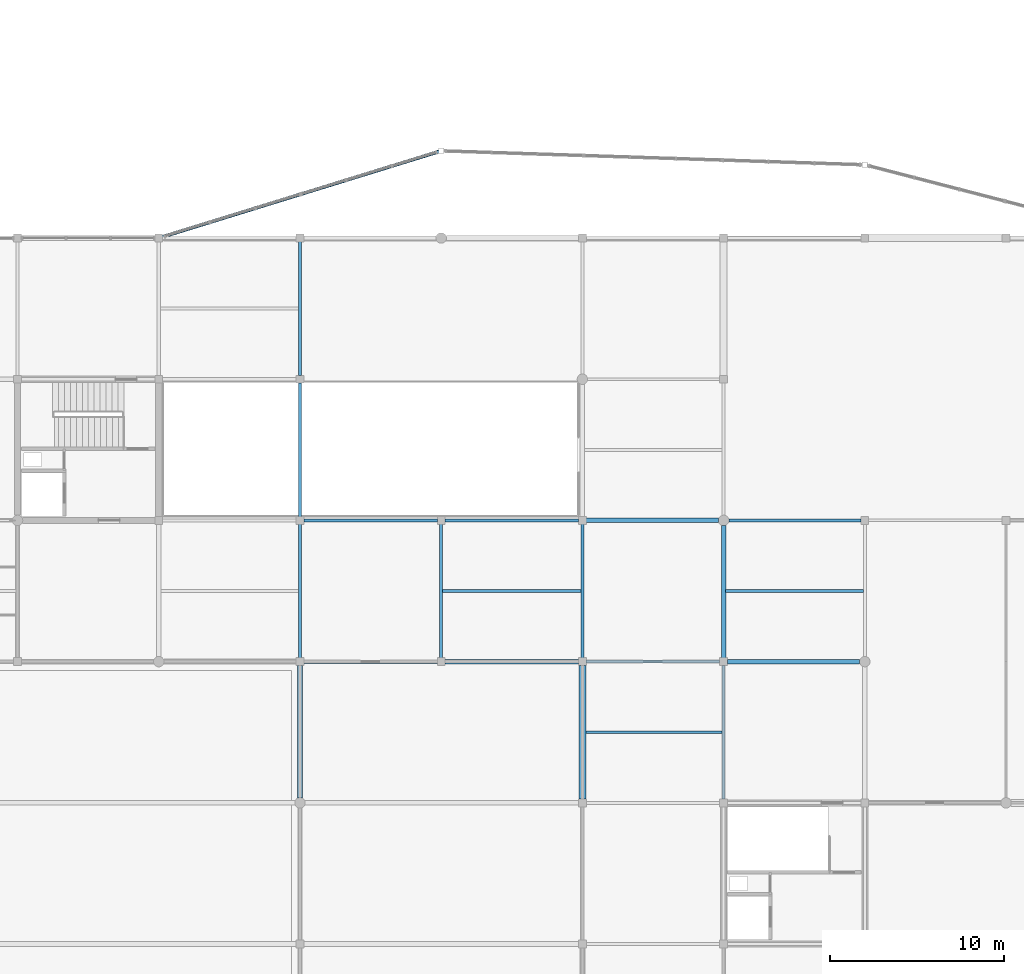
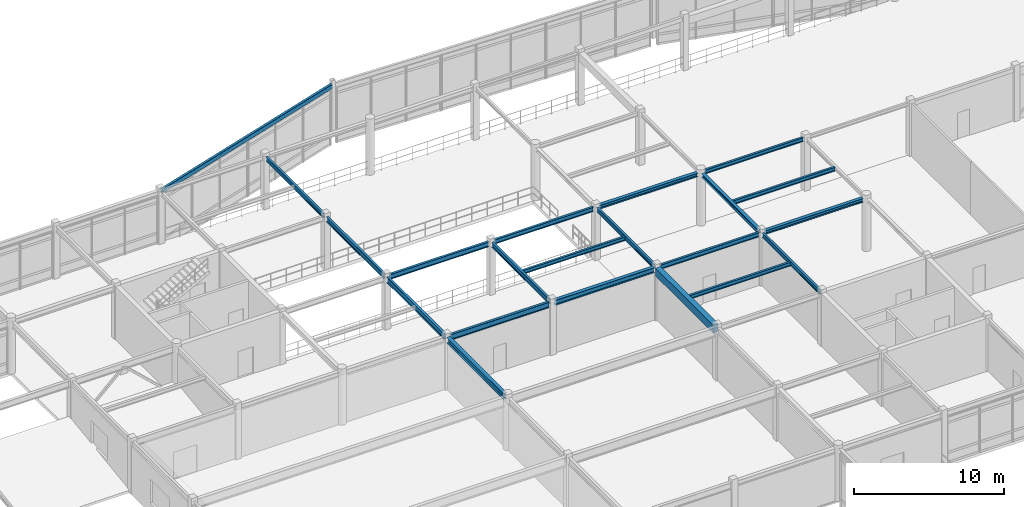
# One storey, part 23 of 93: 21 beams.
"""IFC4 building model written with IfcOpenShell, lengths in metres."""

from ifc_helpers import new_model, si_unit, direction, frame, origin, origin_2d, place, context, subcontext, project, spatial, rectangle, hollow_rectangle, i_section, extrude, material, material_profile, profile_set, type_object, element, save


model = new_model("IFC4")

# Units and contexts
model_context = context("Model", 3, precision=1e-05, world=origin(), true_north=direction((0.0, 1.0)))
body_context = subcontext(model_context, "Body", "Model", "MODEL_VIEW")
ifc_project = project(units=[si_unit("LENGTHUNIT", "METRE"), si_unit("AREAUNIT", "SQUARE_METRE"), si_unit("VOLUMEUNIT", "CUBIC_METRE"), si_unit("PLANEANGLEUNIT", "RADIAN"), si_unit("MASSUNIT", "GRAM", prefix="KILO")], contexts=[model_context])

# Site, building, storey
site_placement = place(None, origin())
site = spatial("IfcSite", under=ifc_project, at=site_placement, CompositionType="ELEMENT")
building_placement = place(site_placement, origin())
building = spatial("IfcBuilding", under=site, at=building_placement, Name="Vaudrelin Polytechnic", CompositionType="ELEMENT")
storey_placement = place(building_placement, frame((0.0, 0.0, 5.10009765625)))
storey = spatial("IfcBuildingStorey", under=building, at=storey_placement, Name="L01", CompositionType="ELEMENT", Elevation=5.10009765625)

# Beams
ifc_material_1 = material(Name="Steel CSA G40.21 350W", Category="steel")
ifc_material_profile_1 = material_profile(ifc_material_1, i_section(OverallWidth=0.178955078125, OverallDepth=0.409912109375, WebThickness=0.0087890625, FlangeThickness=0.014404296875, FilletRadius=0.01611328125, at=origin_2d()), Name="W410x67")
ifc_profile_set_1 = profile_set([ifc_material_profile_1], Name="Steel CSA G40.21 350W")
beam_type_1 = type_object("IfcBeamType", Name="BM-BM-W410", PredefinedType="BEAM", material=ifc_profile_set_1)
for number, where, z_axis, x_axis, name in (
    (1, (64.800048828125, 32.610107421875, 4.10498046875), (0.0, 1.0, 0.0), (-1.0, 0.0, 0.0), "L01 Y-beam 9-5"),
    (2, (72.89990234375, 24.510009765625, 4.10498046875), (0.0, 1.0, 0.0), (-1.0, 0.0, 0.0), "L01 Y-beam 10-4"),
):
    element("IfcBeam", number, at=place(storey_placement, frame(where, z_axis=z_axis, x_axis=x_axis)), inside=storey, type_object=beam_type_1, Name=name, PredefinedType="BEAM", context=body_context, shape_type="SweptSolid", body=[
        extrude(i_section(OverallWidth=0.178955078125, OverallDepth=0.409912109375, WebThickness=0.0087890625, FlangeThickness=0.014404296875, FilletRadius=0.01611328125, at=origin_2d()), origin(), (0.0, 0.0, 1.0), 7.679931640625),
    ])
beam_1_placement = place(storey_placement, frame((65.02099609375, 32.39990234375, 4.10498046875), z_axis=(1.0, 0.0, 0.0), x_axis=(0.0, 1.0, 0.0)))
element("IfcBeam", 3, at=beam_1_placement, inside=storey, type_object=beam_type_1, Name="L01 X-beam 9-5", PredefinedType="BEAM", context=body_context, shape_type="SweptSolid", body=[
    extrude(i_section(OverallWidth=0.178955078125, OverallDepth=0.409912109375, WebThickness=0.0087890625, FlangeThickness=0.014404296875, FilletRadius=0.01611328125, at=origin_2d()), origin(), (0.0, 0.0, 1.0), 7.657958984375),
])
ifc_material_2 = material(Name="Steel CSA G40.21 350WT", Category="steel")
ifc_material_profile_2 = material_profile(ifc_material_2, i_section(OverallWidth=0.260009765625, OverallDepth=0.4150390625, WebThickness=0.010009765625, FlangeThickness=0.016845703125, FilletRadius=0.01611328125, at=origin_2d()), Name="W410x100")
ifc_profile_set_2 = profile_set([ifc_material_profile_2], Name="Steel CSA G40.21 350WT")
beam_type_2 = type_object("IfcBeamType", Name="BM-BM-W410H", PredefinedType="SPANDREL", material=ifc_profile_set_2)
beam_2_placement = place(storey_placement, frame((73.12109375, 24.300048828125, 4.102294921875), z_axis=(1.0, 0.0, 0.0), x_axis=(0.0, 1.0, 0.0)))
element("IfcBeam", 4, at=beam_2_placement, inside=storey, type_object=beam_type_2, Name="L01 X-beam 10-4", PredefinedType="SPANDREL", context=body_context, shape_type="SweptSolid", body=[
    extrude(i_section(OverallWidth=0.260009765625, OverallDepth=0.4150390625, WebThickness=0.010009765625, FlangeThickness=0.016845703125, FilletRadius=0.01611328125, at=origin_2d()), origin(), (0.0, 0.0, 1.0), 7.657958984375),
])
ifc_material_profile_3 = material_profile(ifc_material_2, i_section(OverallWidth=0.19091796875, OverallDepth=0.4599609375, WebThickness=0.010009765625, FlangeThickness=0.01611328125, FilletRadius=0.01806640625, at=origin_2d()), Name="W460x82")
ifc_profile_set_3 = profile_set([ifc_material_profile_3], Name="Steel CSA G40.21 350WT")
beam_type_3 = type_object("IfcBeamType", Name="BM-BM-W460", PredefinedType="BEAM", material=ifc_profile_set_3)
beam_3_placement = place(storey_placement, frame((64.800048828125, 24.510009765625, 4.079833984375), z_axis=(0.0, 1.0, 0.0), x_axis=(-1.0, 0.0, 0.0)))
element("IfcBeam", 5, at=beam_3_placement, inside=storey, type_object=beam_type_3, Name="L01 Y-beam 9-4", PredefinedType="BEAM", context=body_context, shape_type="SweptSolid", body=[
    extrude(i_section(OverallWidth=0.19091796875, OverallDepth=0.4599609375, WebThickness=0.010009765625, FlangeThickness=0.01611328125, FilletRadius=0.01806640625, at=origin_2d()), origin(), (0.0, 0.0, 1.0), 7.679931640625),
])
beam_4_placement = place(storey_placement, frame((65.02099609375, 24.300048828125, 4.079833984375), z_axis=(1.0, 0.0, 0.0), x_axis=(0.0, 1.0, 0.0)))
element("IfcBeam", 6, at=beam_4_placement, inside=storey, type_object=beam_type_3, Name="L01 X-beam 9-4", PredefinedType="BEAM", context=body_context, shape_type="SweptSolid", body=[
    extrude(i_section(OverallWidth=0.19091796875, OverallDepth=0.4599609375, WebThickness=0.010009765625, FlangeThickness=0.01611328125, FilletRadius=0.01806640625, at=origin_2d()), origin(), (0.0, 0.0, 1.0), 7.657958984375),
])
ifc_material_profile_4 = material_profile(ifc_material_1, i_section(OverallWidth=0.280029296875, OverallDepth=0.462890625, WebThickness=0.0107421875, FlangeThickness=0.017333984375, FilletRadius=0.01806640625, at=origin_2d()), Name="W460x113")
ifc_profile_set_4 = profile_set([ifc_material_profile_4], Name="Steel CSA G40.21 350W")
beam_type_4 = type_object("IfcBeamType", Name="BM-BM-W460H", PredefinedType="BEAM", material=ifc_profile_set_4)
beam_5_placement = place(storey_placement, frame((64.800048828125, 16.485107421875, 4.078369140625), z_axis=(0.0, 1.0, 0.0), x_axis=(-1.0, 0.0, 0.0)))
element("IfcBeam", 7, at=beam_5_placement, inside=storey, type_object=beam_type_4, Name="L01 Y-beam 9-3", PredefinedType="BEAM", context=body_context, shape_type="SweptSolid", body=[
    extrude(i_section(OverallWidth=0.280029296875, OverallDepth=0.462890625, WebThickness=0.0107421875, FlangeThickness=0.017333984375, FilletRadius=0.01806640625, at=origin_2d()), origin(), (0.0, 0.0, 1.0), 7.60498046875),
])
ifc_material_profile_5 = material_profile(ifc_material_1, i_section(OverallWidth=0.1669921875, OverallDepth=0.31689453125, WebThickness=0.007568359375, FlangeThickness=0.01318359375, FilletRadius=0.013916015625, at=origin_2d()), Name="W310x52")
ifc_profile_set_5 = profile_set([ifc_material_profile_5], Name="Steel CSA G40.21 350W")
beam_type_5 = type_object("IfcBeamType", Name="BM-JS-W310", PredefinedType="JOIST", material=ifc_profile_set_5)
beam_6_placement = place(storey_placement, frame((72.985595703125, 28.35009765625, 4.1513671875), z_axis=(1.0, 0.0, 0.0), x_axis=(0.0, 1.0, 0.0)))
element("IfcBeam", 8, at=beam_6_placement, inside=storey, type_object=beam_type_5, Name="L01 floor joist 10-4", PredefinedType="JOIST", context=body_context, shape_type="SweptSolid", body=[
    extrude(i_section(OverallWidth=0.1669921875, OverallDepth=0.31689453125, WebThickness=0.007568359375, FlangeThickness=0.01318359375, FilletRadius=0.013916015625, at=origin_2d()), origin(), (0.0, 0.0, 1.0), 7.932373046875),
])
beam_7_placement = place(storey_placement, frame((81.196044921875, 20.25, 4.1513671875), z_axis=(1.0, 0.0, 0.0), x_axis=(0.0, 1.0, 0.0)))
element("IfcBeam", 9, at=beam_7_placement, inside=storey, type_object=beam_type_5, Name="L01 floor joist 11-3", PredefinedType="JOIST", context=body_context, shape_type="SweptSolid", body=[
    extrude(i_section(OverallWidth=0.1669921875, OverallDepth=0.31689453125, WebThickness=0.007568359375, FlangeThickness=0.01318359375, FilletRadius=0.013916015625, at=origin_2d()), origin(), (0.0, 0.0, 1.0), 7.822021484375),
])
beam_8_placement = place(storey_placement, frame((89.222900390625, 28.35009765625, 4.1513671875), z_axis=(1.0, 0.0, 0.0), x_axis=(0.0, 1.0, 0.0)))
element("IfcBeam", 10, at=beam_8_placement, inside=storey, type_object=beam_type_5, Name="L01 floor joist 12-4", PredefinedType="JOIST", context=body_context, shape_type="SweptSolid", body=[
    extrude(i_section(OverallWidth=0.1669921875, OverallDepth=0.31689453125, WebThickness=0.007568359375, FlangeThickness=0.01318359375, FilletRadius=0.013916015625, at=origin_2d()), origin(), (0.0, 0.0, 1.0), 7.897705078125),
])
beam_9_placement = place(storey_placement, frame((89.39599609375, 32.39990234375, 4.1513671875), z_axis=(1.0, 0.0, 0.0), x_axis=(0.0, 1.0, 0.0)))
element("IfcBeam", 11, at=beam_9_placement, inside=storey, type_object=beam_type_5, Name="L01 X-beam 12-5", PredefinedType="JOIST", context=body_context, shape_type="SweptSolid", body=[
    extrude(i_section(OverallWidth=0.1669921875, OverallDepth=0.31689453125, WebThickness=0.007568359375, FlangeThickness=0.01318359375, FilletRadius=0.013916015625, at=origin_2d()), origin(), (0.0, 0.0, 1.0), 7.5830078125),
])
ifc_material_profile_6 = material_profile(ifc_material_2, i_section(OverallWidth=0.25390625, OverallDepth=0.305908203125, WebThickness=0.0087890625, FlangeThickness=0.0146484375, FilletRadius=0.01611328125, at=origin_2d()), Name="W310x79")
ifc_profile_set_6 = profile_set([ifc_material_profile_6], Name="Steel CSA G40.21 350WT")
beam_type_6 = type_object("IfcBeamType", Name="BM-JS-W310H", PredefinedType="SPANDREL", material=ifc_profile_set_6)
beam_10_placement = place(storey_placement, frame((89.10009765625, 24.510009765625, 4.156982421875), z_axis=(0.0, 1.0, 0.0), x_axis=(-1.0, 0.0, 0.0)))
element("IfcBeam", 12, at=beam_10_placement, inside=storey, type_object=beam_type_6, Name="L01 Y-beam 12-4", PredefinedType="SPANDREL", context=body_context, shape_type="SweptSolid", body=[
    extrude(i_section(OverallWidth=0.25390625, OverallDepth=0.305908203125, WebThickness=0.0087890625, FlangeThickness=0.0146484375, FilletRadius=0.01611328125, at=origin_2d()), origin(), (0.0, 0.0, 1.0), 7.60498046875),
])
for number, where, z_axis, x_axis, name in (
    (13, (81.220947265625, 32.39990234375, 4.156982421875), (1.0, 0.0, 0.0), (0.0, 1.0, 0.0), "L01 X-beam 11-5"),
    (14, (89.321044921875, 24.300048828125, 4.156982421875), (1.0, 0.0, 0.0), (0.0, 1.0, 0.0), "L01 X-beam 12-4"),
):
    element("IfcBeam", number, at=place(storey_placement, frame(where, z_axis=z_axis, x_axis=x_axis)), inside=storey, type_object=beam_type_6, Name=name, PredefinedType="SPANDREL", context=body_context, shape_type="SweptSolid", body=[
        extrude(i_section(OverallWidth=0.25390625, OverallDepth=0.305908203125, WebThickness=0.0087890625, FlangeThickness=0.0146484375, FilletRadius=0.01611328125, at=origin_2d()), origin(), (0.0, 0.0, 1.0), 7.5830078125),
    ])
ifc_material_profile_7 = material_profile(ifc_material_1, i_section(OverallWidth=0.172119140625, OverallDepth=0.35791015625, WebThickness=0.0078125, FlangeThickness=0.01318359375, FilletRadius=0.014892578125, at=origin_2d()), Name="W360x57")
ifc_profile_set_7 = profile_set([ifc_material_profile_7], Name="Steel CSA G40.21 350W")
beam_type_7 = type_object("IfcBeamType", Name="BM-JS-W360", PredefinedType="JOIST", material=ifc_profile_set_7)
for number, where, z_axis, x_axis, name in (
    (15, (64.800048828125, 40.7099609375, 4.130859375), (0.0, 1.0, 0.0), (-1.0, 0.0, 0.0), "L01 Y-beam 9-6"),
    (16, (81.0, 24.510009765625, 4.130859375), (0.0, 1.0, 0.0), (-1.0, 0.0, 0.0), "L01 Y-beam 11-4"),
):
    element("IfcBeam", number, at=place(storey_placement, frame(where, z_axis=z_axis, x_axis=x_axis)), inside=storey, type_object=beam_type_7, Name=name, PredefinedType="JOIST", context=body_context, shape_type="SweptSolid", body=[
        extrude(i_section(OverallWidth=0.172119140625, OverallDepth=0.35791015625, WebThickness=0.0078125, FlangeThickness=0.01318359375, FilletRadius=0.014892578125, at=origin_2d()), origin(), (0.0, 0.0, 1.0), 7.679931640625),
    ])
beam_11_placement = place(storey_placement, frame((89.10009765625, 16.409912109375, 4.130859375), z_axis=(0.0, 1.0, 0.0), x_axis=(-1.0, 0.0, 0.0)))
element("IfcBeam", 17, at=beam_11_placement, inside=storey, type_object=beam_type_7, Name="L01 Y-beam 12-3", PredefinedType="JOIST", context=body_context, shape_type="SweptSolid", body=[
    extrude(i_section(OverallWidth=0.172119140625, OverallDepth=0.35791015625, WebThickness=0.0078125, FlangeThickness=0.01318359375, FilletRadius=0.014892578125, at=origin_2d()), origin(), (0.0, 0.0, 1.0), 7.68017578125),
])
for number, where, z_axis, x_axis, name in (
    (18, (73.12109375, 32.39990234375, 4.130859375), (1.0, 0.0, 0.0), (0.0, 1.0, 0.0), "L01 X-beam 10-5"),
    (19, (81.220947265625, 24.300048828125, 4.130859375), (1.0, 0.0, 0.0), (0.0, 1.0, 0.0), "L01 X-beam 11-4"),
):
    element("IfcBeam", number, at=place(storey_placement, frame(where, z_axis=z_axis, x_axis=x_axis)), inside=storey, type_object=beam_type_7, Name=name, PredefinedType="JOIST", context=body_context, shape_type="SweptSolid", body=[
        extrude(i_section(OverallWidth=0.172119140625, OverallDepth=0.35791015625, WebThickness=0.0078125, FlangeThickness=0.01318359375, FilletRadius=0.014892578125, at=origin_2d()), origin(), (0.0, 0.0, 1.0), 7.657958984375),
    ])
ifc_material_profile_8 = material_profile(ifc_material_2, hollow_rectangle(XDim=0.202880859375, YDim=0.35595703125, WallThickness=0.0126953125, InnerFilletRadius=0.0126953125, OuterFilletRadius=0.025390625, at=origin_2d()), Name="HSS356x203x12.7")
ifc_profile_set_8 = profile_set([ifc_material_profile_8], Name="Steel CSA G40.21 350WT")
beam_type_8 = type_object("IfcBeamType", Name="BM-SP-HSS35", PredefinedType="SPANDREL", material=ifc_profile_set_8)
beam_12_placement = place(storey_placement, frame((56.833740234375, 48.641357421875, 4.1318359375), z_axis=(0.955526338589, 0.294905775227, 0.0), x_axis=(-0.294905775227, 0.955526338589, 0.0)))
element("IfcBeam", 20, at=beam_12_placement, inside=storey, type_object=beam_type_8, Name="Sculptural edge beam L01 CT_OR1_B1", PredefinedType="SPANDREL", context=body_context, shape_type="SweptSolid", body=[
    extrude(hollow_rectangle(XDim=0.202880859375, YDim=0.35595703125, WallThickness=0.0126953125, InnerFilletRadius=0.0126953125, OuterFilletRadius=0.025390625, at=origin_2d()), origin(), (0.0, 0.0, 1.0), 16.673828125),
])
ifc_material_3 = material(Name="Concrete 40 MPa", Category="concrete")
ifc_material_profile_9 = material_profile(ifc_material_3, rectangle(XDim=0.39990234375, YDim=0.64990234375, at=origin_2d()), Name="RC400x650")
ifc_profile_set_9 = profile_set([ifc_material_profile_9], Name="Concrete 40 MPa")
beam_type_9 = type_object("IfcBeamType", Name="BM-SP-RC4065", PredefinedType="SPANDREL", material=ifc_profile_set_9)
beam_13_placement = place(storey_placement, frame((81.0, 16.409912109375, 3.98486328125), z_axis=(0.0, 1.0, 0.0), x_axis=(-1.0, 0.0, 0.0)))
element("IfcBeam", 21, at=beam_13_placement, inside=storey, type_object=beam_type_9, Name="L01 Y-beam 11-3", PredefinedType="SPANDREL", context=body_context, shape_type="SweptSolid", body=[
    extrude(rectangle(XDim=0.39990234375, YDim=0.64990234375, at=origin_2d()), origin(), (0.0, 0.0, 1.0), 7.68017578125),
])

save(model, "model.ifc")
